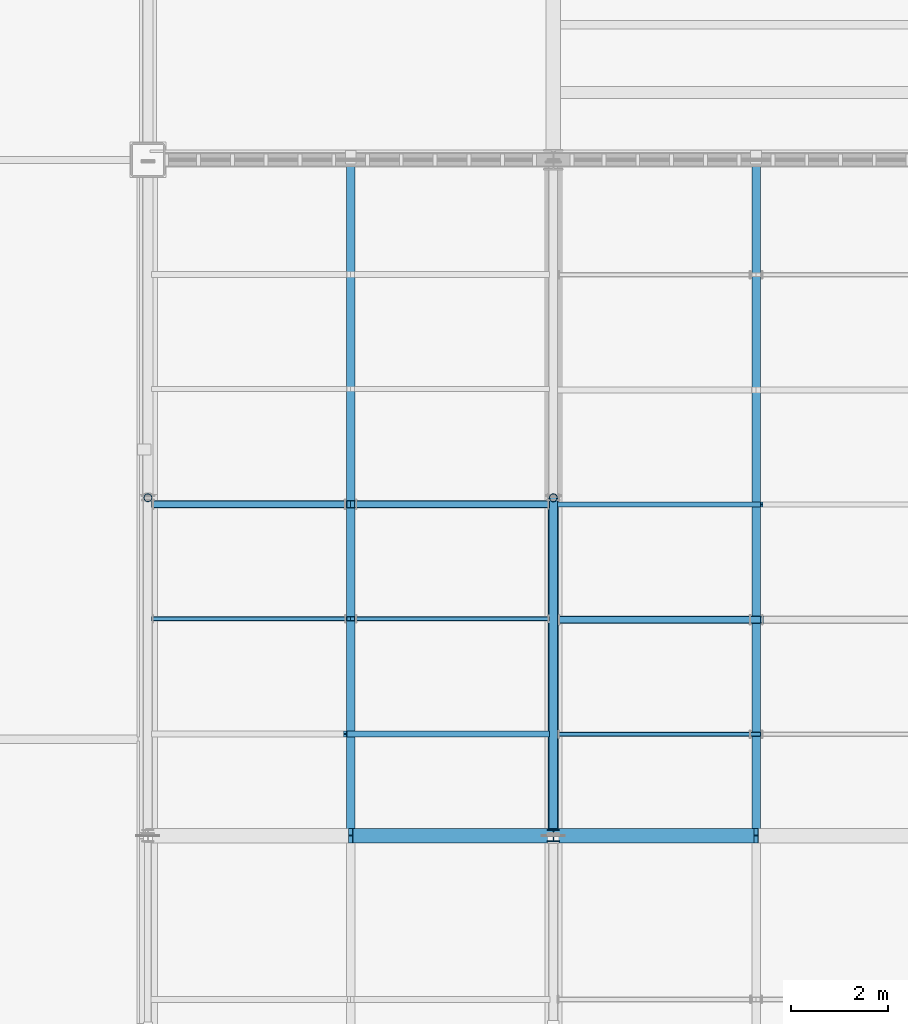
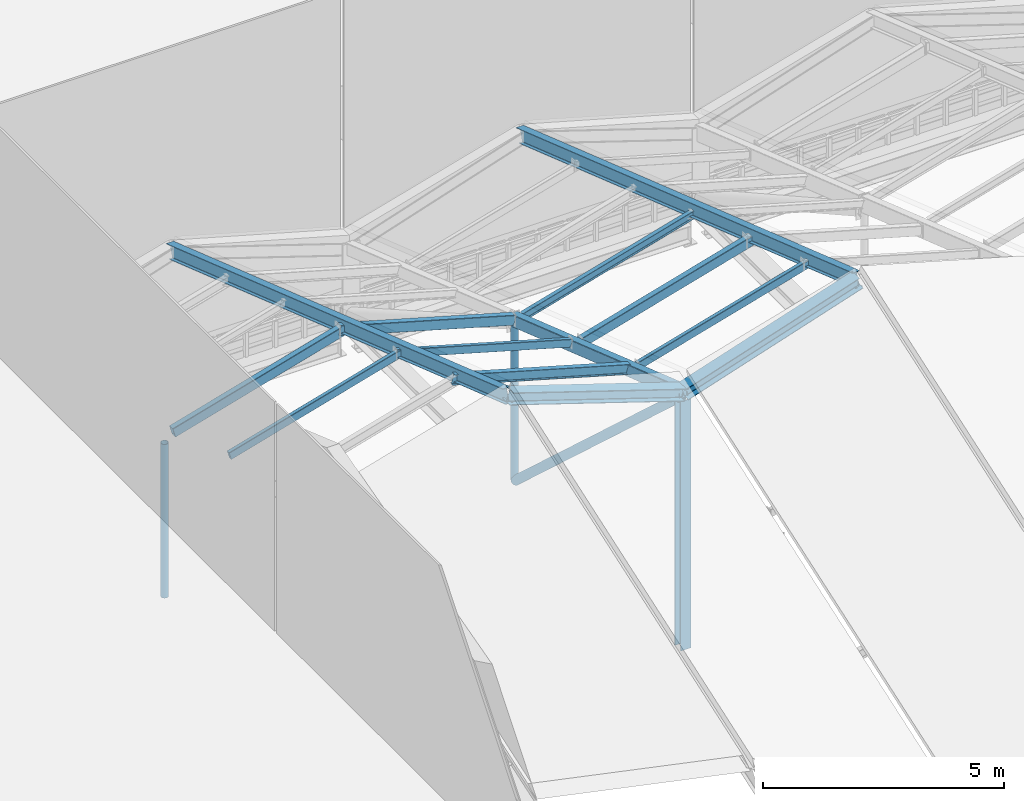
# One storey, part 13 of 77: 17 members.
"""IFC4 building model written with IfcOpenShell, lengths in metres."""

from ifc_helpers import new_model, si_unit, direction, frame, origin, origin_2d, place, context, subcontext, project, spatial, hollow_rectangle, hollow_circle, i_section, extrude, material, material_profile, profile_set, type_object, element, save


model = new_model("IFC4")

# Units and contexts
model_context = context("Model", 3, precision=1e-05, world=origin(), true_north=direction((0.0, 1.0)))
body_context = subcontext(model_context, "Body", "Model", "MODEL_VIEW")
ifc_project = project(units=[si_unit("LENGTHUNIT", "METRE"), si_unit("AREAUNIT", "SQUARE_METRE"), si_unit("VOLUMEUNIT", "CUBIC_METRE"), si_unit("PLANEANGLEUNIT", "RADIAN"), si_unit("MASSUNIT", "GRAM", prefix="KILO")], contexts=[model_context])

# Site, building, storey
site_placement = place(None, origin())
site = spatial("IfcSite", under=ifc_project, at=site_placement, CompositionType="ELEMENT")
building_placement = place(site_placement, origin())
building = spatial("IfcBuilding", under=site, at=building_placement, Name="Larkvane Passage Sports Hall", CompositionType="ELEMENT")
storey_placement = place(building_placement, frame((0.0, 0.0, 22.199951171875)))
storey = spatial("IfcBuildingStorey", under=building, at=storey_placement, Name="RF", CompositionType="ELEMENT", Elevation=22.199951171875)

# Members
ifc_material_1 = material(Name="Steel S355JR", Category="steel")
ifc_material_profile_1 = material_profile(ifc_material_1, hollow_circle(Radius=0.108154296875, WallThickness=0.00830078125, at=origin_2d()), Name="CHS-216.3x8.2")
ifc_profile_set_1 = profile_set([ifc_material_profile_1], Name="Steel S355JR")
member_type_1 = type_object("IfcMemberType", Name="MBR-BR-CHS216", PredefinedType="BRACE", material=ifc_profile_set_1)
member_1_placement = place(storey_placement, frame((43.199951171875, 61.64990234375, 6.5400390625), z_axis=(0.0, 0.737163884076, -0.675713998682), x_axis=(-1.0, 0.0, 0.0)))
element("IfcMember", 1, at=member_1_placement, inside=storey, type_object=member_type_1, Name="Arena roof truss 2 web brace 5", PredefinedType="BRACE", context=body_context, shape_type="SweptSolid", body=[
    extrude(hollow_circle(Radius=0.108154296875, WallThickness=0.00830078125, at=origin_2d()), origin(), (0.0, 0.0, 1.0), 9.3603515625),
])
ifc_material_2 = material(Name="Steel S460N", Category="steel")
ifc_material_profile_2 = material_profile(ifc_material_2, i_section(OverallWidth=0.300048828125, OverallDepth=0.300048828125, WebThickness=0.010009765625, FlangeThickness=0.014892578125, FilletRadius=0.012939453125, at=origin_2d()), Name="H-300x300x10x15")
ifc_profile_set_2 = profile_set([ifc_material_profile_2], Name="Steel S460N")
member_type_2 = type_object("IfcMemberType", Name="MBR-CH-H300", PredefinedType="CHORD", material=ifc_profile_set_2)
for number, where, z_axis, x_axis, name in (
    (2, (39.0, 61.60009765625, 8.050048828125), (0.950691943721, 0.0, -0.310136789407), (0.0, 1.0, 0.0), "Arena roof fold tie 1-RIDGE-E"),
    (3, (43.199951171875, 61.60009765625, 6.679931640625), (0.950691943721, 0.0, 0.310136789407), (0.0, 1.0, 0.0), "Arena roof fold tie 2-RIDGE-W"),
):
    element("IfcMember", number, at=place(storey_placement, frame(where, z_axis=z_axis, x_axis=x_axis)), inside=storey, type_object=member_type_2, Name=name, PredefinedType="CHORD", context=body_context, shape_type="SweptSolid", body=[
        extrude(i_section(OverallWidth=0.300048828125, OverallDepth=0.300048828125, WebThickness=0.010009765625, FlangeThickness=0.014892578125, FilletRadius=0.012939453125, at=origin_2d()), origin(), (0.0, 0.0, 1.0), 4.417724609375),
    ])
ifc_material_profile_3 = material_profile(ifc_material_2, hollow_rectangle(XDim=0.199951171875, YDim=0.300048828125, WallThickness=0.011962890625, InnerFilletRadius=0.011962890625, OuterFilletRadius=0.02392578125, at=origin_2d()), Name="RHS-300x200x12")
ifc_profile_set_3 = profile_set([ifc_material_profile_3], Name="Steel S460N")
member_type_3 = type_object("IfcMemberType", Name="MBR-CH-RHS300", PredefinedType="CHORD", material=ifc_profile_set_3)
member_2_placement = place(storey_placement, frame((43.199951171875, 61.60009765625, 6.679931640625), z_axis=(0.0, 0.945949994576, -0.324312515579), x_axis=(-1.0, 0.0, 0.0)))
element("IfcMember", 4, at=member_2_placement, inside=storey, type_object=member_type_3, Name="Arena roof truss 2 top chord 5", PredefinedType="CHORD", context=body_context, shape_type="SweptSolid", body=[
    extrude(hollow_rectangle(XDim=0.199951171875, YDim=0.300048828125, WallThickness=0.011962890625, InnerFilletRadius=0.011962890625, OuterFilletRadius=0.02392578125, at=origin_2d()), origin(), (0.0, 0.0, 1.0), 7.39990234375),
])
ifc_material_profile_4 = material_profile(ifc_material_1, i_section(OverallWidth=0.10009765625, OverallDepth=0.199951171875, WebThickness=0.005615234375, FlangeThickness=0.008056640625, FilletRadius=0.008056640625, at=origin_2d()), Name="H-200x100x5.5x8")
ifc_profile_set_4 = profile_set([ifc_material_profile_4], Name="Steel S355JR")
member_type_4 = type_object("IfcMemberType", Name="MBR-PR-H200", PredefinedType="PURLIN", material=ifc_profile_set_4)
member_3_placement = place(storey_placement, frame((43.316162109375, 68.460693359375, 4.393798828125), z_axis=(0.96152605678, 0.0, 0.274713745804), x_axis=(0.0, 1.0, 0.0)))
element("IfcMember", 5, at=member_3_placement, inside=storey, type_object=member_type_4, Name="Folded roof purlin FRP-B2-NW-3", PredefinedType="PURLIN", context=body_context, shape_type="SweptSolid", body=[
    extrude(i_section(OverallWidth=0.10009765625, OverallDepth=0.199951171875, WebThickness=0.005615234375, FlangeThickness=0.008056640625, FilletRadius=0.008056640625, at=origin_2d()), origin(), (0.0, 0.0, 1.0), 4.367919921875),
])
ifc_material_profile_5 = material_profile(ifc_material_1, i_section(OverallWidth=0.125, OverallDepth=0.25, WebThickness=0.006103515625, FlangeThickness=0.009033203125, FilletRadius=0.008056640625, at=origin_2d()), Name="H-250x125x6x9")
ifc_profile_set_5 = profile_set([ifc_material_profile_5], Name="Steel S355JR")
member_type_5 = type_object("IfcMemberType", Name="MBR-PR-H250", PredefinedType="PURLIN", material=ifc_profile_set_5)
member_4_placement = place(storey_placement, frame((38.8876953125, 63.705322265625, 7.239501953125), z_axis=(0.961515511102, 0.0, -0.274750654067), x_axis=(0.0, 1.0, 0.0)))
element("IfcMember", 6, at=member_4_placement, inside=storey, type_object=member_type_5, Name="Folded roof purlin FRP-B1-NE-1", PredefinedType="PURLIN", context=body_context, shape_type="SweptSolid", body=[
    extrude(i_section(OverallWidth=0.125, OverallDepth=0.25, WebThickness=0.006103515625, FlangeThickness=0.009033203125, FilletRadius=0.008056640625, at=origin_2d()), origin(), (0.0, 0.0, 1.0), 4.368408203125),
])
ifc_material_profile_6 = material_profile(ifc_material_1, hollow_rectangle(XDim=0.10009765625, YDim=0.199951171875, WallThickness=0.008056640625, InnerFilletRadius=0.008056640625, OuterFilletRadius=0.01611328125, at=origin_2d()), Name="RHS-200x100x8")
ifc_profile_set_6 = profile_set([ifc_material_profile_6], Name="Steel S355JR")
member_type_6 = type_object("IfcMemberType", Name="MBR-PR-RHS200", PredefinedType="PURLIN", material=ifc_profile_set_6)
for number, where, z_axis, x_axis, name in (
    (7, (34.90576171875, 66.09326171875, 5.24609375), (0.961511291812, 0.0, 0.274765419436), (0.0, 1.0, 0.0), "Folded roof purlin FRP-B1-NW-2"),
    (8, (38.894287109375, 66.09326171875, 6.4462890625), (0.961511291812, 0.0, -0.274765419436), (0.0, 1.0, 0.0), "Folded roof purlin FRP-B1-NE-2"),
):
    element("IfcMember", number, at=place(storey_placement, frame(where, z_axis=z_axis, x_axis=x_axis)), inside=storey, type_object=member_type_6, Name=name, PredefinedType="PURLIN", context=body_context, shape_type="SweptSolid", body=[
        extrude(hollow_rectangle(XDim=0.10009765625, YDim=0.199951171875, WallThickness=0.008056640625, InnerFilletRadius=0.008056640625, OuterFilletRadius=0.01611328125, at=origin_2d()), origin(), (0.0, 0.0, 1.0), 4.3681640625),
    ])
member_5_placement = place(storey_placement, frame((43.316162109375, 63.70068359375, 6.025634765625), z_axis=(0.96152605678, 0.0, 0.274713745804), x_axis=(0.0, 1.0, 0.0)))
element("IfcMember", 9, at=member_5_placement, inside=storey, type_object=member_type_6, Name="Folded roof purlin FRP-B2-NW-1", PredefinedType="PURLIN", context=body_context, shape_type="SweptSolid", body=[
    extrude(hollow_rectangle(XDim=0.10009765625, YDim=0.199951171875, WallThickness=0.008056640625, InnerFilletRadius=0.008056640625, OuterFilletRadius=0.01611328125, at=origin_2d()), origin(), (0.0, 0.0, 1.0), 4.367919921875),
])
ifc_material_profile_7 = material_profile(ifc_material_1, hollow_rectangle(XDim=0.14990234375, YDim=0.25, WallThickness=0.009033203125, InnerFilletRadius=0.009033203125, OuterFilletRadius=0.01806640625, at=origin_2d()), Name="RHS-250x150x9")
ifc_profile_set_7 = profile_set([ifc_material_profile_7], Name="Steel S355JR")
member_type_7 = type_object("IfcMemberType", Name="MBR-PR-RHS250", PredefinedType="PURLIN", material=ifc_profile_set_7)
for number, where, z_axis, x_axis, name in (
    (10, (34.912109375, 68.46533203125, 4.407470703125), (0.961530274547, 0.0, 0.27469898276), (0.0, 1.0, 0.0), "Folded roof purlin FRP-B1-NW-3"),
    (11, (38.8876953125, 68.46533203125, 5.607421875), (0.961530274547, 0.0, -0.27469898276), (0.0, 1.0, 0.0), "Folded roof purlin FRP-B1-NE-3"),
):
    element("IfcMember", number, at=place(storey_placement, frame(where, z_axis=z_axis, x_axis=x_axis)), inside=storey, type_object=member_type_7, Name=name, PredefinedType="PURLIN", context=body_context, shape_type="SweptSolid", body=[
        extrude(hollow_rectangle(XDim=0.14990234375, YDim=0.25, WallThickness=0.009033203125, InnerFilletRadius=0.009033203125, OuterFilletRadius=0.01806640625, at=origin_2d()), origin(), (0.0, 0.0, 1.0), 4.3681640625),
    ])
member_6_placement = place(storey_placement, frame((43.322509765625, 66.07275390625, 5.186767578125), z_axis=(0.961515511102, 0.0, 0.274750654067), x_axis=(0.0, 1.0, 0.0)))
element("IfcMember", 12, at=member_6_placement, inside=storey, type_object=member_type_7, Name="Folded roof purlin FRP-B2-NW-2", PredefinedType="PURLIN", context=body_context, shape_type="SweptSolid", body=[
    extrude(hollow_rectangle(XDim=0.14990234375, YDim=0.25, WallThickness=0.009033203125, InnerFilletRadius=0.009033203125, OuterFilletRadius=0.01806640625, at=origin_2d()), origin(), (0.0, 0.0, 1.0), 4.368408203125),
])
ifc_material_profile_8 = material_profile(ifc_material_1, i_section(OverallWidth=0.175048828125, OverallDepth=0.35009765625, WebThickness=0.007080078125, FlangeThickness=0.010986328125, FilletRadius=0.012939453125, at=origin_2d()), Name="H-350x175x7x11")
ifc_profile_set_8 = profile_set([ifc_material_profile_8], Name="Steel S355JR")
member_type_8 = type_object("IfcMemberType", Name="MBR-RF-H350", PredefinedType="RAFTER", material=ifc_profile_set_8)
for number, where, z_axis, x_axis, name in (
    (13, (39.0, 61.60009765625, 8.050048828125), (0.0, 0.945944933771, -0.324327276487), (-1.0, 0.0, 0.0), "Arena roof fold peak rafter 1-N"),
    (14, (47.39990234375, 61.60009765625, 8.050048828125), (0.0, 0.945944933771, -0.324327276487), (-1.0, 0.0, 0.0), "Arena roof fold peak rafter 2-N"),
):
    element("IfcMember", number, at=place(storey_placement, frame(where, z_axis=z_axis, x_axis=x_axis)), inside=storey, type_object=member_type_8, Name=name, PredefinedType="RAFTER", context=body_context, shape_type="SweptSolid", body=[
        extrude(i_section(OverallWidth=0.175048828125, OverallDepth=0.35009765625, WebThickness=0.007080078125, FlangeThickness=0.010986328125, FilletRadius=0.012939453125, at=origin_2d()), origin(), (0.0, 0.0, 1.0), 14.800048828125),
    ])
ifc_material_profile_9 = material_profile(ifc_material_1, hollow_circle(Radius=0.08251953125, WallThickness=0.006103515625, at=origin_2d()), Name="CHS-165.2x6.0")
ifc_profile_set_9 = profile_set([ifc_material_profile_9], Name="Steel S355JR")
member_type_9 = type_object("IfcMemberType", Name="MBR-ST-CHS165", PredefinedType="STRUT", material=ifc_profile_set_9)
member_7_placement = place(storey_placement, frame((34.800048828125, 68.60009765625, 0.18994140625), z_axis=(0.0, 0.0, 1.0), x_axis=(1.0, 0.0, 0.0)))
element("IfcMember", 15, at=member_7_placement, inside=storey, type_object=member_type_9, Name="Arena roof truss 1 vertical strut 5", PredefinedType="STRUT", context=body_context, shape_type="SweptSolid", body=[
    extrude(hollow_circle(Radius=0.08251953125, WallThickness=0.006103515625, at=origin_2d()), origin(), (0.0, 0.0, 1.0), 3.900146484375),
])
member_8_placement = place(storey_placement, frame((43.199951171875, 68.60009765625, 0.215087890625), z_axis=(0.0, 0.0, 1.0), x_axis=(1.0, 0.0, 0.0)))
element("IfcMember", 16, at=member_8_placement, inside=storey, type_object=member_type_9, Name="Arena roof truss 2 vertical strut 5", PredefinedType="STRUT", context=body_context, shape_type="SweptSolid", body=[
    extrude(hollow_circle(Radius=0.08251953125, WallThickness=0.006103515625, at=origin_2d()), origin(), (0.0, 0.0, 1.0), 3.925048828125),
])
ifc_material_profile_10 = material_profile(ifc_material_1, i_section(OverallWidth=0.25, OverallDepth=0.25, WebThickness=0.009033203125, FlangeThickness=0.013916015625, FilletRadius=0.012939453125, at=origin_2d()), Name="H-250x250x9x14")
ifc_profile_set_10 = profile_set([ifc_material_profile_10], Name="Steel S355JR")
member_type_10 = type_object("IfcMemberType", Name="MBR-ST-H250", PredefinedType="STRUT", material=ifc_profile_set_10)
member_9_placement = place(storey_placement, frame((43.199951171875, 61.60009765625, 0.215087890625), z_axis=(0.0, 0.0, 1.0), x_axis=(1.0, 0.0, 0.0)))
element("IfcMember", 17, at=member_9_placement, inside=storey, type_object=member_type_10, Name="Arena roof truss 2 vertical strut 4", PredefinedType="STRUT", context=body_context, shape_type="SweptSolid", body=[
    extrude(i_section(OverallWidth=0.25, OverallDepth=0.25, WebThickness=0.009033203125, FlangeThickness=0.013916015625, FilletRadius=0.012939453125, at=origin_2d()), origin(), (0.0, 0.0, 1.0), 6.324951171875),
])

save(model, "model.ifc")
